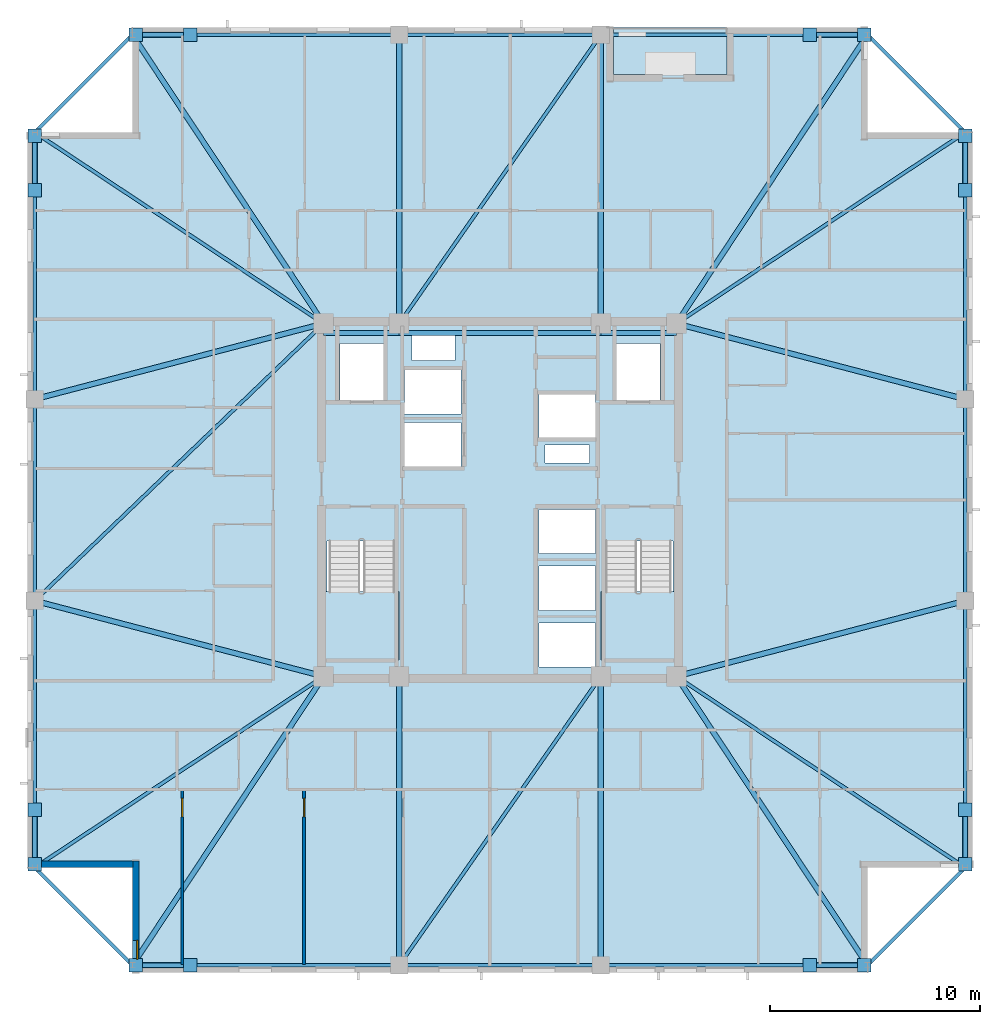
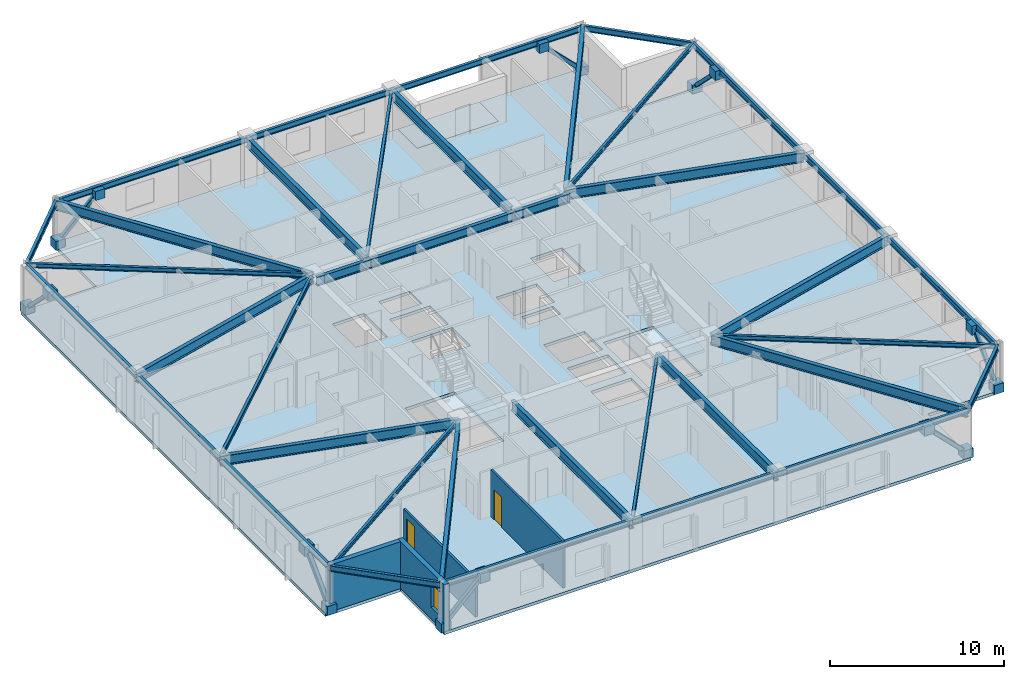
# One storey, part 6 of 17: 38 beams, 16 plates, 8 members, 4 slabs, 4 walls, 2 doors, 1 window, 3 openings, 2 elements without a shape of their own.
"""IFC4 building model written with IfcOpenShell, lengths in metres."""

from ifc_helpers import new_model, si_unit, direction, frame, frame_2d, origin, origin_2d, place, context, subcontext, project, spatial, polyline, rectangle, hollow_rectangle, i_section, outline, extrude, material, layer, layer_set, material_profile, profile_set, type_object, element, fill, aggregate, save


model = new_model("IFC4")

# Units and contexts
model_context = context("Model", 3, precision=1e-05, world=origin(), true_north=direction((0.0, 1.0)))
body_context = subcontext(model_context, "Body", "Model", "MODEL_VIEW")
ifc_project = project(units=[si_unit("LENGTHUNIT", "METRE"), si_unit("AREAUNIT", "SQUARE_METRE"), si_unit("VOLUMEUNIT", "CUBIC_METRE"), si_unit("PLANEANGLEUNIT", "RADIAN"), si_unit("MASSUNIT", "GRAM", prefix="KILO")], contexts=[model_context])

# Site, building, storey
site_placement = place(None, origin())
site = spatial("IfcSite", under=ifc_project, at=site_placement, CompositionType="ELEMENT")
building_placement = place(site_placement, origin())
building = spatial("IfcBuilding", under=site, at=building_placement, Name="Cairnveth Concourse Tower", CompositionType="ELEMENT")
storey_placement = place(building_placement, frame((0.0, 0.0, 202.5)))
storey = spatial("IfcBuildingStorey", under=building, at=storey_placement, Name="L55", CompositionType="ELEMENT", Elevation=202.5)

# Beams
ifc_material_1 = material(Name="Steel Grade 350", Category="steel")
ifc_material_profile_1 = material_profile(ifc_material_1, i_section(OverallWidth=0.22802734375, OverallDepth=0.60693359375, WebThickness=0.01123046875, FlangeThickness=0.017333984375, FilletRadius=0.013916015625, at=origin_2d()), Name="610UB113")
ifc_profile_set_1 = profile_set([ifc_material_profile_1], Name="Steel Grade 350")
beam_type_1 = type_object("IfcBeamType", Name="CORE TIE BEAM 610UB113", PredefinedType="T_BEAM", material=ifc_profile_set_1)
for number, where, z_axis, x_axis, name in (
    (1, (43.60009765625, 46.949951171875, 2.986572265625), (1.0, 0.0, 0.0), (0.0, 1.0, 0.0), "Beam CT-N1 L55"),
    (2, (56.800048828125, 46.949951171875, 2.986572265625), (1.0, 0.0, 0.0), (0.0, 1.0, 0.0), "Beam CT-N3 L55"),
):
    element("IfcBeam", number, at=place(storey_placement, frame(where, z_axis=z_axis, x_axis=x_axis)), inside=storey, type_object=beam_type_1, Name=name, PredefinedType="T_BEAM", context=body_context, shape_type="SweptSolid", body=[
        extrude(i_section(OverallWidth=0.22802734375, OverallDepth=0.60693359375, WebThickness=0.01123046875, FlangeThickness=0.017333984375, FilletRadius=0.013916015625, at=origin_2d()), origin(), (0.0, 0.0, 1.0), 3.599853515625),
    ])
beam_1_placement = place(storey_placement, frame((47.199951171875, 46.949951171875, 2.986572265625), z_axis=(1.0, 0.0, 0.0), x_axis=(0.0, 1.0, 0.0)))
element("IfcBeam", 3, at=beam_1_placement, inside=storey, type_object=beam_type_1, Name="Beam CT-N2 L55", PredefinedType="T_BEAM", context=body_context, shape_type="SweptSolid", body=[
    extrude(i_section(OverallWidth=0.22802734375, OverallDepth=0.60693359375, WebThickness=0.01123046875, FlangeThickness=0.017333984375, FilletRadius=0.013916015625, at=origin_2d()), origin(), (0.0, 0.0, 1.0), 9.60009765625),
])
ifc_material_profile_2 = material_profile(ifc_material_1, i_section(OverallWidth=0.166015625, OverallDepth=0.306884765625, WebThickness=0.006591796875, FlangeThickness=0.01171875, FilletRadius=0.010986328125, at=origin_2d()), Name="310UB46.2")
ifc_profile_set_2 = profile_set([ifc_material_profile_2], Name="Steel Grade 350")
beam_type_2 = type_object("IfcBeamType", Name="ZONE 3 FLOOR JOIST 310UB46.2", PredefinedType="JOIST", material=ifc_profile_set_2)
for number, where, z_axis, x_axis, name in (
    (4, (29.85009765625, 21.5, 3.136474609375), (0.833908956207, 0.551902031848, 0.0), (-0.551902031848, 0.833908956207, 0.0), "Beam FJ-CSW2 L55"),
    (5, (74.14990234375, 21.5, 3.136474609375), (-0.833908956207, 0.551902031848, 0.0), (-0.551902031848, -0.833908956207, 0.0), "Beam FJ-CSE2 L55"),
    (6, (74.14990234375, 56.5, 3.136474609375), (-0.833908956207, -0.551902031848, 0.0), (0.551902031848, -0.833908956207, 0.0), "Beam FJ-CNE2 L55"),
    (7, (29.85009765625, 56.5, 3.136474609375), (0.833908956207, -0.551902031848, 0.0), (0.551902031848, 0.833908956207, 0.0), "Beam FJ-CNW2 L55"),
):
    element("IfcBeam", number, at=place(storey_placement, frame(where, z_axis=z_axis, x_axis=x_axis)), inside=storey, type_object=beam_type_2, Name=name, PredefinedType="JOIST", context=body_context, shape_type="SweptSolid", body=[
        extrude(i_section(OverallWidth=0.166015625, OverallDepth=0.306884765625, WebThickness=0.006591796875, FlangeThickness=0.01171875, FilletRadius=0.010986328125, at=origin_2d()), origin(), (0.0, 0.0, 1.0), 16.488525390625),
    ])
for number, where, z_axis, x_axis, name in (
    (8, (47.199951171875, 16.85009765625, 3.136474609375), (0.572465304893, 0.819928944905, 0.0), (-0.819928944905, 0.572465304893, 0.0), "Beam FJ-S-M1 L55"),
    (9, (47.199951171875, 47.39990234375, 3.136474609375), (0.572465304893, 0.819928944905, 0.0), (-0.819928944905, 0.572465304893, 0.0), "Beam FJ-N-M1 L55"),
):
    element("IfcBeam", number, at=place(storey_placement, frame(where, z_axis=z_axis, x_axis=x_axis)), inside=storey, type_object=beam_type_2, Name=name, PredefinedType="JOIST", context=body_context, shape_type="SweptSolid", body=[
        extrude(i_section(OverallWidth=0.166015625, OverallDepth=0.306884765625, WebThickness=0.006591796875, FlangeThickness=0.01171875, FilletRadius=0.010986328125, at=origin_2d()), origin(), (0.0, 0.0, 1.0), 16.769775390625),
    ])
beam_2_placement = place(storey_placement, frame((29.85009765625, 34.199951171875, 3.136474609375), z_axis=(0.721388600838, 0.692530495055, 0.0), x_axis=(-0.692530495055, 0.721388600838, 0.0)))
element("IfcBeam", 10, at=beam_2_placement, inside=storey, type_object=beam_type_2, Name="Beam FJ-W-M1 L55", PredefinedType="JOIST", context=body_context, shape_type="SweptSolid", body=[
    extrude(i_section(OverallWidth=0.166015625, OverallDepth=0.306884765625, WebThickness=0.006591796875, FlangeThickness=0.01171875, FilletRadius=0.010986328125, at=origin_2d()), origin(), (0.0, 0.0, 1.0), 19.060546875),
])

# Members
ifc_material_2 = material(Name="Steel C350L0 (350 MPa)", Category="steel")
ifc_material_profile_3 = material_profile(ifc_material_2, hollow_rectangle(XDim=0.25, YDim=0.25, WallThickness=0.012451171875, InnerFilletRadius=0.012939453125, OuterFilletRadius=0.02490234375, at=origin_2d()), Name="250x250x12.5SHS")
ifc_profile_set_3 = profile_set([ifc_material_profile_3], Name="Steel C350L0 (350 MPa)")
member_type = type_object("IfcMemberType", Name="ZONE 3 PIER BRACE 250X250X12.5SHS", PredefinedType="BRACE", material=ifc_profile_set_3)
for number, where, z_axis, x_axis, name in (
    (11, (34.64990234375, 16.85009765625, 0.25), (0.708469186186, 0.0, 0.705741746126), (0.0, 1.0, 0.0), "Structural Brace PB-S1 L55"),
    (12, (69.35009765625, 16.85009765625, 0.25), (-0.708469186186, 0.0, 0.705741746126), (0.0, -1.0, 0.0), "Structural Brace PB-S2 L55"),
    (13, (34.64990234375, 61.14990234375, 0.25), (0.708469186186, 0.0, 0.705741746126), (0.0, 1.0, 0.0), "Structural Brace PB-N1 L55"),
    (14, (69.35009765625, 61.14990234375, 0.25), (-0.708469186186, 0.0, 0.705741746126), (0.0, -1.0, 0.0), "Structural Brace PB-N2 L55"),
    (15, (29.85009765625, 21.64990234375, 0.25), (0.0, 0.708469186186, 0.705741746126), (-1.0, 0.0, 0.0), "Structural Brace PB-W1 L55"),
    (16, (29.85009765625, 56.35009765625, 0.25), (0.0, -0.708469186186, 0.705741746126), (1.0, 0.0, 0.0), "Structural Brace PB-W2 L55"),
    (17, (74.14990234375, 21.64990234375, 0.25), (0.0, 0.708469186186, 0.705741746126), (-1.0, 0.0, 0.0), "Structural Brace PB-E1 L55"),
    (18, (74.14990234375, 56.35009765625, 0.25), (0.0, -0.708469186186, 0.705741746126), (1.0, 0.0, 0.0), "Structural Brace PB-E2 L55"),
):
    element("IfcMember", number, at=place(storey_placement, frame(where, z_axis=z_axis, x_axis=x_axis)), inside=storey, type_object=member_type, Name=name, PredefinedType="BRACE", context=body_context, shape_type="SweptSolid", body=[
        extrude(hollow_rectangle(XDim=0.25, YDim=0.25, WallThickness=0.012451171875, InnerFilletRadius=0.012939453125, OuterFilletRadius=0.02490234375, at=origin_2d()), origin(), (0.0, 0.0, 1.0), 3.669921875),
    ])

# Beams
ifc_material_profile_4 = material_profile(ifc_material_1, i_section(OverallWidth=0.25, OverallDepth=0.69189453125, WebThickness=0.010009765625, FlangeThickness=0.02490234375, at=origin_2d()), Name="700WB150")
ifc_profile_set_4 = profile_set([ifc_material_profile_4], Name="Steel Grade 350")
beam_type_3 = type_object("IfcBeamType", Name="ZONE 3 RADIAL GIRDER 700WB150", PredefinedType="BEAM", material=ifc_profile_set_4)
for number, where, z_axis, x_axis, name in (
    (19, (47.199951171875, 16.85009765625, 2.944091796875), (0.0, 1.0, 0.0), (-1.0, 0.0, 0.0), "Beam RG-S1 L55"),
    (20, (56.800048828125, 16.85009765625, 2.944091796875), (0.0, 1.0, 0.0), (-1.0, 0.0, 0.0), "Beam RG-S2 L55"),
    (21, (47.199951171875, 47.39990234375, 2.944091796875), (0.0, 1.0, 0.0), (-1.0, 0.0, 0.0), "Beam RG-N1 L55"),
    (22, (56.800048828125, 47.39990234375, 2.944091796875), (0.0, 1.0, 0.0), (-1.0, 0.0, 0.0), "Beam RG-N2 L55"),
):
    element("IfcBeam", number, at=place(storey_placement, frame(where, z_axis=z_axis, x_axis=x_axis)), inside=storey, type_object=beam_type_3, Name=name, PredefinedType="BEAM", context=body_context, shape_type="SweptSolid", body=[
        extrude(i_section(OverallWidth=0.25, OverallDepth=0.69189453125, WebThickness=0.010009765625, FlangeThickness=0.02490234375, at=origin_2d()), origin(), (0.0, 0.0, 1.0), 13.75),
    ])
for number, where, z_axis, x_axis, name in (
    (23, (29.85009765625, 34.199951171875, 2.944091796875), (0.967395273598, -0.253271365575, 0.0), (0.253271365575, 0.967395273598, 0.0), "Beam RG-W1 L55"),
    (24, (29.85009765625, 43.800048828125, 2.944091796875), (0.967395273598, 0.253271365575, 0.0), (-0.253271365575, 0.967395273598, 0.0), "Beam RG-W2 L55"),
    (25, (60.39990234375, 30.60009765625, 2.944091796875), (0.967395273598, 0.253271365575, 0.0), (-0.253271365575, 0.967395273598, 0.0), "Beam RG-E1 L55"),
    (26, (60.39990234375, 47.39990234375, 2.944091796875), (0.967395273598, -0.253271365575, 0.0), (0.253271365575, 0.967395273598, 0.0), "Beam RG-E2 L55"),
):
    element("IfcBeam", number, at=place(storey_placement, frame(where, z_axis=z_axis, x_axis=x_axis)), inside=storey, type_object=beam_type_3, Name=name, PredefinedType="BEAM", context=body_context, shape_type="SweptSolid", body=[
        extrude(i_section(OverallWidth=0.25, OverallDepth=0.69189453125, WebThickness=0.010009765625, FlangeThickness=0.02490234375, at=origin_2d()), origin(), (0.0, 0.0, 1.0), 14.21337890625),
    ])
for number, where, z_axis, x_axis, name in (
    (27, (34.5, 16.85009765625, 2.944091796875), (0.551902031848, 0.833908956207, 0.0), (-0.833908956207, 0.551902031848, 0.0), "Beam RG-CSW L55"),
    (28, (69.5, 16.85009765625, 2.944091796875), (-0.551902031848, 0.833908956207, 0.0), (-0.833908956207, -0.551902031848, 0.0), "Beam RG-CSE L55"),
    (29, (69.5, 61.14990234375, 2.944091796875), (-0.551902031848, -0.833908956207, 0.0), (0.833908956207, -0.551902031848, 0.0), "Beam RG-CNE L55"),
    (30, (34.5, 61.14990234375, 2.944091796875), (0.551902031848, -0.833908956207, 0.0), (0.833908956207, 0.551902031848, 0.0), "Beam RG-CNW L55"),
):
    element("IfcBeam", number, at=place(storey_placement, frame(where, z_axis=z_axis, x_axis=x_axis)), inside=storey, type_object=beam_type_3, Name=name, PredefinedType="BEAM", context=body_context, shape_type="SweptSolid", body=[
        extrude(i_section(OverallWidth=0.25, OverallDepth=0.69189453125, WebThickness=0.010009765625, FlangeThickness=0.02490234375, at=origin_2d()), origin(), (0.0, 0.0, 1.0), 16.488525390625),
    ])
ifc_material_profile_5 = material_profile(ifc_material_1, i_section(OverallWidth=0.177978515625, OverallDepth=0.406005859375, WebThickness=0.0078125, FlangeThickness=0.0126953125, FilletRadius=0.010986328125, at=origin_2d()), Name="410UB59.7")
ifc_profile_set_5 = profile_set([ifc_material_profile_5], Name="Steel Grade 350")
beam_type_4 = type_object("IfcBeamType", Name="ZONE 3 SPANDREL BEAM 410UB59.7", PredefinedType="SPANDREL", material=ifc_profile_set_5)
beam_3_placement = place(storey_placement, frame((34.5, 16.85009765625, 3.0869140625), z_axis=(1.0, 0.0, 0.0), x_axis=(0.0, 1.0, 0.0)))
element("IfcBeam", 31, at=beam_3_placement, inside=storey, type_object=beam_type_4, Name="Beam SP-S1 L55", PredefinedType="SPANDREL", context=body_context, shape_type="SweptSolid", body=[
    extrude(i_section(OverallWidth=0.177978515625, OverallDepth=0.406005859375, WebThickness=0.0078125, FlangeThickness=0.0126953125, FilletRadius=0.010986328125, at=origin_2d()), origin(), (0.0, 0.0, 1.0), 12.699951171875),
])
beam_4_placement = place(storey_placement, frame((47.199951171875, 16.85009765625, 3.0869140625), z_axis=(1.0, 0.0, 0.0), x_axis=(0.0, 1.0, 0.0)))
element("IfcBeam", 32, at=beam_4_placement, inside=storey, type_object=beam_type_4, Name="Beam SP-S2 L55", PredefinedType="SPANDREL", context=body_context, shape_type="SweptSolid", body=[
    extrude(i_section(OverallWidth=0.177978515625, OverallDepth=0.406005859375, WebThickness=0.0078125, FlangeThickness=0.0126953125, FilletRadius=0.010986328125, at=origin_2d()), origin(), (0.0, 0.0, 1.0), 9.60009765625),
])
for number, where, z_axis, x_axis, name in (
    (33, (56.800048828125, 16.85009765625, 3.0869140625), (1.0, 0.0, 0.0), (0.0, 1.0, 0.0), "Beam SP-S3 L55"),
    (34, (34.5, 61.14990234375, 3.0869140625), (1.0, 0.0, 0.0), (0.0, 1.0, 0.0), "Beam SP-N1 L55"),
):
    element("IfcBeam", number, at=place(storey_placement, frame(where, z_axis=z_axis, x_axis=x_axis)), inside=storey, type_object=beam_type_4, Name=name, PredefinedType="SPANDREL", context=body_context, shape_type="SweptSolid", body=[
        extrude(i_section(OverallWidth=0.177978515625, OverallDepth=0.406005859375, WebThickness=0.0078125, FlangeThickness=0.0126953125, FilletRadius=0.010986328125, at=origin_2d()), origin(), (0.0, 0.0, 1.0), 12.699951171875),
    ])
beam_5_placement = place(storey_placement, frame((47.199951171875, 61.14990234375, 3.0869140625), z_axis=(1.0, 0.0, 0.0), x_axis=(0.0, 1.0, 0.0)))
element("IfcBeam", 35, at=beam_5_placement, inside=storey, type_object=beam_type_4, Name="Beam SP-N2 L55", PredefinedType="SPANDREL", context=body_context, shape_type="SweptSolid", body=[
    extrude(i_section(OverallWidth=0.177978515625, OverallDepth=0.406005859375, WebThickness=0.0078125, FlangeThickness=0.0126953125, FilletRadius=0.010986328125, at=origin_2d()), origin(), (0.0, 0.0, 1.0), 9.60009765625),
])
for number, where, z_axis, x_axis, name in (
    (36, (56.800048828125, 61.14990234375, 3.0869140625), (1.0, 0.0, 0.0), (0.0, 1.0, 0.0), "Beam SP-N3 L55"),
    (37, (29.85009765625, 21.5, 3.0869140625), (0.0, 1.0, 0.0), (-1.0, 0.0, 0.0), "Beam SP-W1 L55"),
):
    element("IfcBeam", number, at=place(storey_placement, frame(where, z_axis=z_axis, x_axis=x_axis)), inside=storey, type_object=beam_type_4, Name=name, PredefinedType="SPANDREL", context=body_context, shape_type="SweptSolid", body=[
        extrude(i_section(OverallWidth=0.177978515625, OverallDepth=0.406005859375, WebThickness=0.0078125, FlangeThickness=0.0126953125, FilletRadius=0.010986328125, at=origin_2d()), origin(), (0.0, 0.0, 1.0), 12.699951171875),
    ])
beam_6_placement = place(storey_placement, frame((29.85009765625, 34.199951171875, 3.0869140625), z_axis=(0.0, 1.0, 0.0), x_axis=(-1.0, 0.0, 0.0)))
element("IfcBeam", 38, at=beam_6_placement, inside=storey, type_object=beam_type_4, Name="Beam SP-W2 L55", PredefinedType="SPANDREL", context=body_context, shape_type="SweptSolid", body=[
    extrude(i_section(OverallWidth=0.177978515625, OverallDepth=0.406005859375, WebThickness=0.0078125, FlangeThickness=0.0126953125, FilletRadius=0.010986328125, at=origin_2d()), origin(), (0.0, 0.0, 1.0), 9.60009765625),
])
for number, where, z_axis, x_axis, name in (
    (39, (29.85009765625, 43.800048828125, 3.0869140625), (0.0, 1.0, 0.0), (-1.0, 0.0, 0.0), "Beam SP-W3 L55"),
    (40, (74.14990234375, 21.5, 3.0869140625), (0.0, 1.0, 0.0), (-1.0, 0.0, 0.0), "Beam SP-E1 L55"),
):
    element("IfcBeam", number, at=place(storey_placement, frame(where, z_axis=z_axis, x_axis=x_axis)), inside=storey, type_object=beam_type_4, Name=name, PredefinedType="SPANDREL", context=body_context, shape_type="SweptSolid", body=[
        extrude(i_section(OverallWidth=0.177978515625, OverallDepth=0.406005859375, WebThickness=0.0078125, FlangeThickness=0.0126953125, FilletRadius=0.010986328125, at=origin_2d()), origin(), (0.0, 0.0, 1.0), 12.699951171875),
    ])
beam_7_placement = place(storey_placement, frame((74.14990234375, 34.199951171875, 3.0869140625), z_axis=(0.0, 1.0, 0.0), x_axis=(-1.0, 0.0, 0.0)))
element("IfcBeam", 41, at=beam_7_placement, inside=storey, type_object=beam_type_4, Name="Beam SP-E2 L55", PredefinedType="SPANDREL", context=body_context, shape_type="SweptSolid", body=[
    extrude(i_section(OverallWidth=0.177978515625, OverallDepth=0.406005859375, WebThickness=0.0078125, FlangeThickness=0.0126953125, FilletRadius=0.010986328125, at=origin_2d()), origin(), (0.0, 0.0, 1.0), 9.60009765625),
])
beam_8_placement = place(storey_placement, frame((74.14990234375, 43.800048828125, 3.0869140625), z_axis=(0.0, 1.0, 0.0), x_axis=(-1.0, 0.0, 0.0)))
element("IfcBeam", 42, at=beam_8_placement, inside=storey, type_object=beam_type_4, Name="Beam SP-E3 L55", PredefinedType="SPANDREL", context=body_context, shape_type="SweptSolid", body=[
    extrude(i_section(OverallWidth=0.177978515625, OverallDepth=0.406005859375, WebThickness=0.0078125, FlangeThickness=0.0126953125, FilletRadius=0.010986328125, at=origin_2d()), origin(), (0.0, 0.0, 1.0), 12.699951171875),
])
for number, where, z_axis, x_axis, name in (
    (43, (29.85009765625, 21.5, 3.0869140625), (0.707106781187, -0.707106781187, 0.0), (0.707106781187, 0.707106781187, 0.0), "Beam SP-SW L55"),
    (44, (69.5, 16.85009765625, 3.0869140625), (0.707106781187, 0.707106781187, 0.0), (-0.707106781187, 0.707106781187, 0.0), "Beam SP-SE L55"),
    (45, (69.5, 61.14990234375, 3.0869140625), (0.707106781187, -0.707106781187, 0.0), (0.707106781187, 0.707106781187, 0.0), "Beam SP-NE L55"),
    (46, (29.85009765625, 56.5, 3.0869140625), (0.707106781187, 0.707106781187, 0.0), (-0.707106781187, 0.707106781187, 0.0), "Beam SP-NW L55"),
):
    element("IfcBeam", number, at=place(storey_placement, frame(where, z_axis=z_axis, x_axis=x_axis)), inside=storey, type_object=beam_type_4, Name=name, PredefinedType="SPANDREL", context=body_context, shape_type="SweptSolid", body=[
        extrude(i_section(OverallWidth=0.177978515625, OverallDepth=0.406005859375, WebThickness=0.0078125, FlangeThickness=0.0126953125, FilletRadius=0.010986328125, at=origin_2d()), origin(), (0.0, 0.0, 1.0), 6.575927734375),
    ])

# Plates
ifc_layer_1 = layer(ifc_material_1, 0.031982421875)
ifc_layer_set_1 = layer_set([ifc_layer_1], Name="Steel Grade 350")
plate_type = type_object("IfcPlateType", Name="PERIMETER BRACE GUSSET PLATE 32", PredefinedType="USERDEFINED", material=ifc_layer_set_1)
for number, where, z_axis, x_axis, name in (
    (47, (34.64990234375, 16.85009765625, -0.06982421875), (0.0, 0.0, 1.0), (1.0, 0.0, 0.0), "Structural Node Plate 0965 L55"),
    (48, (37.25, 16.85009765625, 2.52001953125), (0.0, 0.0, 1.0), (1.0, 0.0, 0.0), "Structural Node Plate 0966 L55"),
    (49, (69.35009765625, 16.85009765625, -0.06982421875), (0.0, 0.0, 1.0), (1.0, 0.0, 0.0), "Structural Node Plate 0967 L55"),
    (50, (66.75, 16.85009765625, 2.52001953125), (0.0, 0.0, 1.0), (1.0, 0.0, 0.0), "Structural Node Plate 0968 L55"),
    (51, (34.64990234375, 61.14990234375, -0.06982421875), (0.0, 0.0, 1.0), (1.0, 0.0, 0.0), "Structural Node Plate 0969 L55"),
    (52, (37.25, 61.14990234375, 2.52001953125), (0.0, 0.0, 1.0), (1.0, 0.0, 0.0), "Structural Node Plate 0970 L55"),
    (53, (69.35009765625, 61.14990234375, -0.06982421875), (0.0, 0.0, 1.0), (1.0, 0.0, 0.0), "Structural Node Plate 0971 L55"),
    (54, (66.75, 61.14990234375, 2.52001953125), (0.0, 0.0, 1.0), (1.0, 0.0, 0.0), "Structural Node Plate 0972 L55"),
    (55, (29.85009765625, 21.64990234375, -0.06982421875), (0.0, 0.0, 1.0), (1.0, 0.0, 0.0), "Structural Node Plate 0973 L55"),
    (56, (29.85009765625, 24.25, 2.52001953125), (0.0, 0.0, 1.0), (1.0, 0.0, 0.0), "Structural Node Plate 0974 L55"),
    (57, (29.85009765625, 56.35009765625, -0.06982421875), (0.0, 0.0, 1.0), (1.0, 0.0, 0.0), "Structural Node Plate 0975 L55"),
    (58, (29.85009765625, 53.75, 2.52001953125), (0.0, 0.0, 1.0), (1.0, 0.0, 0.0), "Structural Node Plate 0976 L55"),
    (59, (74.14990234375, 21.64990234375, -0.06982421875), (0.0, 0.0, 1.0), (1.0, 0.0, 0.0), "Structural Node Plate 0977 L55"),
    (60, (74.14990234375, 24.25, 2.52001953125), (0.0, 0.0, 1.0), (1.0, 0.0, 0.0), "Structural Node Plate 0978 L55"),
    (61, (74.14990234375, 56.35009765625, -0.06982421875), (0.0, 0.0, 1.0), (1.0, 0.0, 0.0), "Structural Node Plate 0979 L55"),
    (62, (74.14990234375, 53.75, 2.52001953125), (0.0, 0.0, 1.0), (1.0, 0.0, 0.0), "Structural Node Plate 0980 L55"),
):
    element("IfcPlate", number, at=place(storey_placement, frame(where, z_axis=z_axis, x_axis=x_axis)), inside=storey, type_object=plate_type, Name=name, ObjectType="GUSSET PLATE", PredefinedType="USERDEFINED", context=body_context, shape_type="SweptSolid", body=[
        extrude(rectangle(XDim=0.639892578125, YDim=0.639892578125, at=origin_2d()), origin(), (0.0, 0.0, 1.0), 0.639892578125),
    ])

# Slab
ifc_material_3 = material(Name="Concrete N50 (50 MPa)", Category="concrete")
ifc_layer_2 = layer(ifc_material_3, 0.18994140625)
ifc_layer_set_2 = layer_set([ifc_layer_2], Name="Concrete N50 (50 MPa)")
slab_type_1 = type_object("IfcSlabType", Name="SPIRAL OUTDOOR TERRACE SLAB 190", PredefinedType="FLOOR", material=ifc_layer_set_2)
slab_1_placement = place(storey_placement, frame((0.0, 0.0, -0.18994140625)))
element("IfcSlab", 63, at=slab_1_placement, inside=storey, type_object=slab_type_1, Name="Spiral Terrace Slab L55", PredefinedType="FLOOR", context=body_context, shape_type="SweptSolid", body=[
    extrude(outline(polyline([(57.39990234375, 59.25), (62.800048828125, 59.25), (62.800048828125, 61.5), (57.39990234375, 61.5), (57.39990234375, 59.25)])), origin(), (0.0, 0.0, 1.0), 0.18994140625),
])

# Stair, slab
ifc_material_4 = material(Name="Precast concrete N50 (50 MPa)", Category="concrete")
stair_type = type_object("IfcStairType", Name="CORE DOG-LEG FIRE STAIR 1500", PredefinedType="HALF_TURN_STAIR", material=ifc_material_4)
stair_1_placement = place(storey_placement, origin())
stair_1 = element("IfcStair", 64, at=stair_1_placement, inside=storey, type_object=stair_type, Name="L55 Fire-Isolated Stair ST-1", PredefinedType="HALF_TURN_STAIR")
ifc_layer_3 = layer(ifc_material_3, 0.199951171875)
ifc_layer_set_3 = layer_set([ifc_layer_3], Name="Concrete N50 (50 MPa)")
slab_type_2 = type_object("IfcSlabType", Name="STAIR HALF LANDING SLAB 200", PredefinedType="LANDING", material=ifc_layer_set_3)
slab_2_placement = place(storey_placement, frame((0.0, 0.0, 1.550048828125)))
slab_2 = element("IfcSlab", 65, at=slab_2_placement, type_object=slab_type_2, Name="ST-1 landing 1", PredefinedType="LANDING", context=body_context, shape_type="SweptSolid", body=[
    extrude(outline(polyline([(43.6201171875, 34.639892578125), (43.6201171875, 31.3701171875), (47.199951171875, 31.3701171875), (47.199951171875, 34.639892578125), (43.6201171875, 34.639892578125)])), origin(), (0.0, 0.0, 1.0), 0.199951171875),
])
aggregate(stair_1, [slab_2])

stair_2_placement = place(storey_placement, origin())
stair_2 = element("IfcStair", 66, at=stair_2_placement, inside=storey, type_object=stair_type, Name="L55 Fire-Isolated Stair ST-2", PredefinedType="HALF_TURN_STAIR")
slab_3_placement = place(storey_placement, frame((0.0, 0.0, 1.550048828125)))
slab_3 = element("IfcSlab", 67, at=slab_3_placement, type_object=slab_type_2, Name="ST-2 landing 1", PredefinedType="LANDING", context=body_context, shape_type="SweptSolid", body=[
    extrude(outline(polyline([(56.800048828125, 34.639892578125), (56.800048828125, 31.3701171875), (60.3798828125, 31.3701171875), (60.3798828125, 34.639892578125), (56.800048828125, 34.639892578125)])), origin(), (0.0, 0.0, 1.0), 0.199951171875),
])
aggregate(stair_2, [slab_3])

# Slab
ifc_layer_4 = layer(ifc_material_3, 0.2099609375)
ifc_layer_set_4 = layer_set([ifc_layer_4], Name="Concrete N50 (50 MPa)")
slab_type_3 = type_object("IfcSlabType", Name="UPPER TOWER COMPOSITE SLAB 210", PredefinedType="FLOOR", material=ifc_layer_set_4)
slab_4_placement = place(storey_placement, frame((0.0, 0.0, -0.2099609375)))
element("IfcSlab", 68, at=slab_4_placement, inside=storey, type_object=slab_type_3, Name="Tower Floor Slab L55", PredefinedType="FLOOR", context=body_context, shape_type="SweptSolid", body=[
    extrude(outline(polyline([(62.800048828125, 61.5), (62.800048828125, 59.25), (57.39990234375, 59.25), (57.39990234375, 61.5), (34.5, 61.5), (34.5, 56.5), (29.5, 56.5), (29.5, 21.5), (34.5, 21.5), (34.5, 16.5), (69.5, 16.5), (69.5, 21.5), (74.5, 21.5), (74.5, 56.5), (69.5, 56.5), (69.5, 61.5), (62.800048828125, 61.5)]), holes=[polyline([(43.760009765625, 31.360107421875), (47.06005859375, 31.360107421875), (47.06005859375, 37.0400390625), (43.760009765625, 37.0400390625), (43.760009765625, 31.360107421875)]), polyline([(56.93994140625, 31.360107421875), (60.239990234375, 31.360107421875), (60.239990234375, 37.0400390625), (56.93994140625, 37.0400390625), (56.93994140625, 31.360107421875)]), polyline([(44.3701171875, 43.75), (46.469970703125, 43.75), (46.469970703125, 46.449951171875), (44.3701171875, 46.449951171875), (44.3701171875, 43.75)]), polyline([(57.530029296875, 43.75), (59.6298828125, 43.75), (59.6298828125, 46.449951171875), (57.530029296875, 46.449951171875), (57.530029296875, 43.75)]), polyline([(53.85009765625, 31.050048828125), (56.550048828125, 31.050048828125), (56.550048828125, 33.14990234375), (53.85009765625, 33.14990234375), (53.85009765625, 31.050048828125)]), polyline([(53.85009765625, 33.75), (56.550048828125, 33.75), (56.550048828125, 35.85009765625), (53.85009765625, 35.85009765625), (53.85009765625, 33.75)]), polyline([(53.85009765625, 36.449951171875), (56.550048828125, 36.449951171875), (56.550048828125, 38.550048828125), (53.85009765625, 38.550048828125), (53.85009765625, 36.449951171875)]), polyline([(47.449951171875, 40.60009765625), (50.14990234375, 40.60009765625), (50.14990234375, 42.699951171875), (47.449951171875, 42.699951171875), (47.449951171875, 40.60009765625)]), polyline([(47.449951171875, 43.10009765625), (50.14990234375, 43.10009765625), (50.14990234375, 45.199951171875), (47.449951171875, 45.199951171875), (47.449951171875, 43.10009765625)]), polyline([(53.85009765625, 41.949951171875), (56.550048828125, 41.949951171875), (56.550048828125, 44.050048828125), (53.85009765625, 44.050048828125), (53.85009765625, 41.949951171875)]), polyline([(47.800048828125, 45.64990234375), (49.85009765625, 45.64990234375), (49.85009765625, 47.050048828125), (47.800048828125, 47.050048828125), (47.800048828125, 45.64990234375)]), polyline([(54.14990234375, 40.75), (56.25, 40.75), (56.25, 41.6201171875), (54.14990234375, 41.6201171875), (54.14990234375, 40.75)])]), origin(), (0.0, 0.0, 1.0), 0.2099609375),
])

# Wall, opening, door
ifc_material_5 = material(Name="Gypsum Plasterboard Partition", Category="gypsum")
ifc_layer_5 = layer(ifc_material_5, 0.139892578125)
ifc_layer_set_5 = layer_set([ifc_layer_5], Name="Gypsum Plasterboard Partition")
wall_type_1 = type_object("IfcWallType", Name="GYPSUM STUD PARTITION 140", PredefinedType="PARTITIONING", material=ifc_layer_set_5)
wall_1_placement = place(storey_placement, frame((36.8701171875, 16.8798828125, 0.0), z_axis=(0.0, 0.0, 1.0), x_axis=(0.0, 1.0, 0.0)))
wall_1 = element("IfcWall", 69, at=wall_1_placement, inside=storey, type_object=wall_type_1, Name="Interior Wall IW-L55-050", PredefinedType="PARTITIONING", context=body_context, shape_type="SweptSolid", body=[
    extrude(rectangle(XDim=8.2900390625, YDim=0.139892578125, at=frame_2d((4.14501953125, 0.0))), origin(), (0.0, 0.0, 1.0), 2.572998046875),
])
opening_1_placement = place(wall_1_placement, frame((7.030029296875, 0.0, 0.0)))
opening_1 = element("IfcOpeningElement", 70, at=opening_1_placement, cuts=wall_1, Name="Opening ID18", PredefinedType="OPENING", context=body_context, shape_type="SweptSolid", body=[
    extrude(rectangle(XDim=0.8798828125, YDim=2.10009765625, at=frame_2d((0.43994140625, 1.050048828125))), frame((0.0, 0.079833984375, 0.0), z_axis=(0.0, -1.0, 0.0), x_axis=(1.0, 0.0, 0.0)), (0.0, 0.0, 1.0), 0.159912109375),
])
ifc_material_6 = material(Name="Solid Core Hardwood Timber Leaf", Category="wood")
door_type = type_object("IfcDoorType", Name="INTERIOR SINGLE DOOR 880X2100", OperationType="NOTDEFINED", PredefinedType="DOOR", material=ifc_material_6)
door_1_placement = place(opening_1_placement, origin())
door_1 = element("IfcDoor", 71, at=door_1_placement, inside=storey, type_object=door_type, Name="L55S1 Master Bedroom Door", OperationType="SINGLE_SWING_LEFT", OverallHeight=2.10009765625, OverallWidth=0.8798828125, PredefinedType="DOOR", context=body_context, shape_type="SweptSolid", body=[
    extrude(rectangle(XDim=0.8798828125, YDim=2.10009765625, at=frame_2d((0.43994140625, 1.050048828125))), frame((0.0, 0.02490234375, 0.0), z_axis=(0.0, -1.0, 0.0), x_axis=(1.0, 0.0, 0.0)), (0.0, 0.0, 1.0), 0.050048828125),
])
fill(opening_1, door_1)

wall_2_placement = place(storey_placement, frame((42.669921875, 16.8798828125, 0.0), z_axis=(0.0, 0.0, 1.0), x_axis=(0.0, 1.0, 0.0)))
wall_2 = element("IfcWall", 72, at=wall_2_placement, inside=storey, type_object=wall_type_1, Name="Interior Wall IW-L55-054", PredefinedType="PARTITIONING", context=body_context, shape_type="SweptSolid", body=[
    extrude(rectangle(XDim=8.2900390625, YDim=0.139892578125, at=frame_2d((4.14501953125, 0.0))), origin(), (0.0, 0.0, 1.0), 3.2900390625),
])
opening_2_placement = place(wall_2_placement, frame((7.030029296875, 0.0, 0.0)))
opening_2 = element("IfcOpeningElement", 73, at=opening_2_placement, cuts=wall_2, Name="Opening ID18", PredefinedType="OPENING", context=body_context, shape_type="SweptSolid", body=[
    extrude(rectangle(XDim=0.8798828125, YDim=2.10009765625, at=frame_2d((0.43994140625, 1.050048828125))), frame((0.0, 0.079833984375, 0.0), z_axis=(0.0, -1.0, 0.0), x_axis=(1.0, 0.0, 0.0)), (0.0, 0.0, 1.0), 0.159912109375),
])
door_2_placement = place(opening_2_placement, origin())
door_2 = element("IfcDoor", 74, at=door_2_placement, inside=storey, type_object=door_type, Name="L55S1 Media Lounge Door", OperationType="SINGLE_SWING_RIGHT", OverallHeight=2.10009765625, OverallWidth=0.8798828125, PredefinedType="DOOR", context=body_context, shape_type="SweptSolid", body=[
    extrude(rectangle(XDim=0.8798828125, YDim=2.10009765625, at=frame_2d((0.43994140625, 1.050048828125))), frame((0.0, 0.02490234375, 0.0), z_axis=(0.0, -1.0, 0.0), x_axis=(1.0, 0.0, 0.0)), (0.0, 0.0, 1.0), 0.050048828125),
])
fill(opening_2, door_2)

# Wall, opening, window
ifc_material_7 = material(Name="Melbourne Buff Fired Clay Brick Masonry", Category="masonry")
ifc_layer_6 = layer(ifc_material_7, 0.320068359375)
ifc_layer_set_6 = layer_set([ifc_layer_6], Name="Melbourne Buff Fired Clay Brick Masonry")
wall_type_2 = type_object("IfcWallType", Name="ZONE 3 BRICK PIER SPANDREL WALL 320", PredefinedType="SOLIDWALL", material=ifc_layer_set_6)
wall_3_placement = place(storey_placement, frame((34.659912109375, 16.5, 0.0), z_axis=(0.0, 0.0, 1.0), x_axis=(0.0, 1.0, 0.0)))
wall_3 = element("IfcWall", 75, at=wall_3_placement, inside=storey, type_object=wall_type_2, Name="Exterior Wall EW-L55-S07", PredefinedType="SOLIDWALL", context=body_context, shape_type="SweptSolid", body=[
    extrude(rectangle(XDim=5.320068359375, YDim=0.320068359375, at=frame_2d((2.66015625, 0.0))), origin(), (0.0, 0.0, 1.0), 3.2900390625),
])
opening_3_placement = place(wall_3_placement, frame((0.6298828125, 0.0, 0.800048828125)))
opening_3 = element("IfcOpeningElement", 76, at=opening_3_placement, cuts=wall_3, Name="Opening W13", PredefinedType="OPENING", context=body_context, shape_type="SweptSolid", body=[
    extrude(rectangle(XDim=0.89990234375, YDim=1.677978515625, at=frame_2d((0.449951171875, 0.8388671875))), frame((0.0, 0.169921875, 0.0), z_axis=(0.0, -1.0, 0.0), x_axis=(1.0, 0.0, 0.0)), (0.0, 0.0, 1.0), 0.340087890625),
])
ifc_material_8 = material(Name="Double Glazed Low-E Clear Glass", Category="glass")
window_type = type_object("IfcWindowType", Name="DEEP-SET BEDROOM LANCET WINDOW 900X1750", PartitioningType="DOUBLE_PANEL_VERTICAL", PredefinedType="WINDOW", material=ifc_material_8)
window_placement = place(opening_3_placement, origin())
window = element("IfcWindow", 77, at=window_placement, inside=storey, type_object=window_type, Name="Dwelling Lancet Window L55-DW1", OverallHeight=1.677978515625, OverallWidth=0.89990234375, PartitioningType="SINGLE_PANEL", PredefinedType="WINDOW", context=body_context, shape_type="SweptSolid", body=[
    extrude(rectangle(XDim=0.89990234375, YDim=1.677978515625, at=frame_2d((0.449951171875, 0.8388671875))), frame((0.0, -0.0400390625, 0.0), z_axis=(0.0, -1.0, 0.0), x_axis=(1.0, 0.0, 0.0)), (0.0, 0.0, 1.0), 0.06005859375),
])
fill(opening_3, window)

# Wall
wall_4_placement = place(storey_placement, frame((34.52197265625, 21.659912109375, 0.0), z_axis=(0.0, 0.0, 1.0), x_axis=(-1.0, 0.0, 0.0)))
element("IfcWall", 78, at=wall_4_placement, inside=storey, type_object=wall_type_2, Name="Exterior Wall EW-L55-S08", PredefinedType="SOLIDWALL", context=body_context, shape_type="SweptSolid", body=[
    extrude(rectangle(XDim=4.723876953125, YDim=0.320068359375, at=frame_2d((2.36181640625, 0.0))), origin(), (0.0, 0.0, 1.0), 3.2900390625),
])

save(model, "model.ifc")
